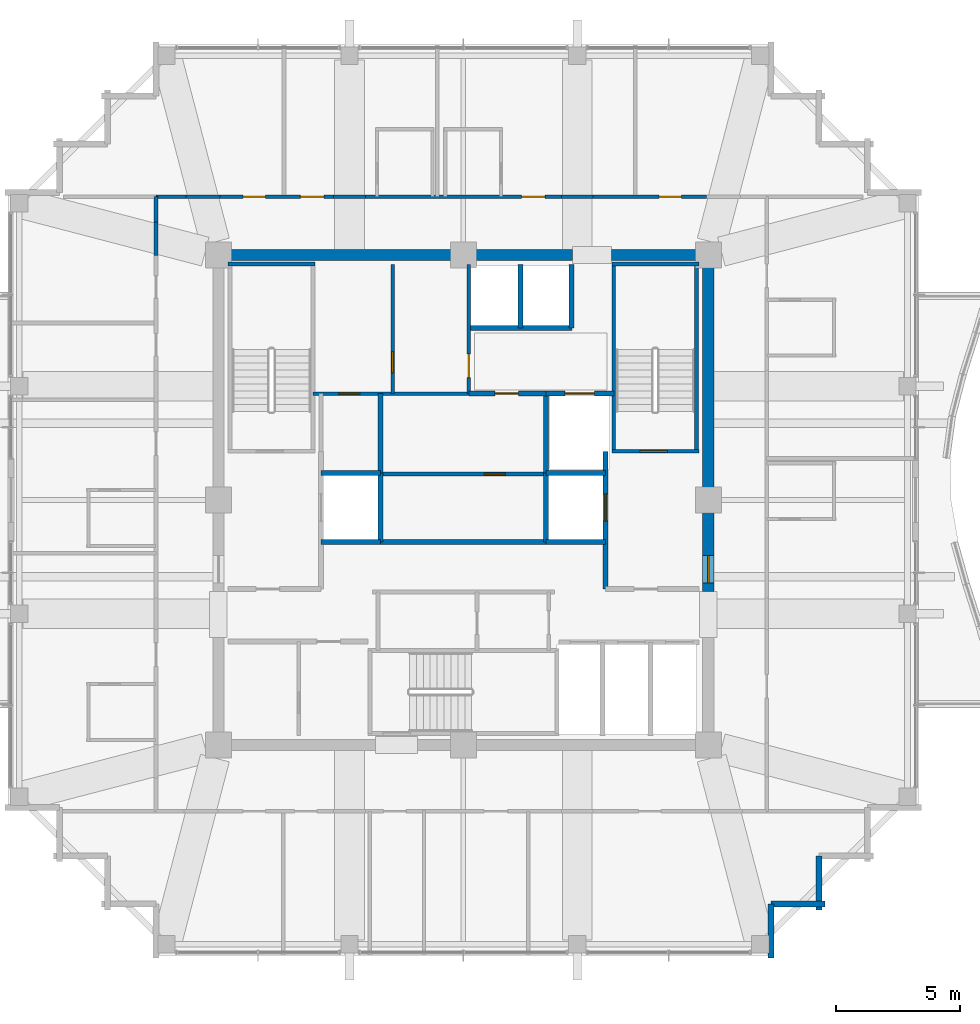
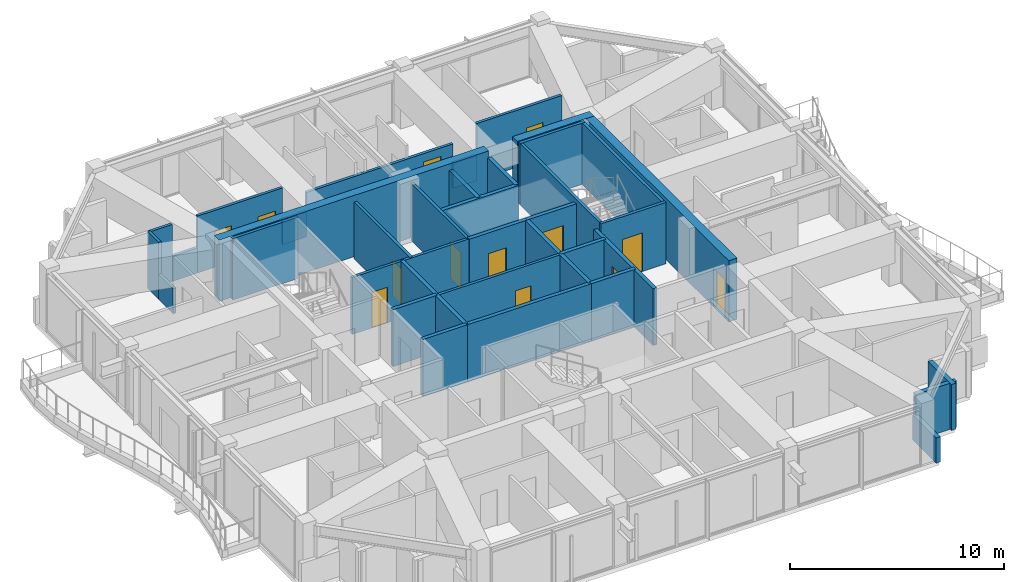
# One storey, part 27 of 31: 39 walls, 13 doors, 13 openings.
"""IFC4 building model written with IfcOpenShell, lengths in metres."""

from ifc_helpers import new_model, si_unit, direction, frame, frame_2d, origin, place, context, subcontext, project, spatial, rectangle, extrude, material, layer, layer_set, type_object, element, fill, save


model = new_model("IFC4")

# Units and contexts
model_context = context("Model", 3, precision=1e-05, world=origin(), true_north=direction((0.0, 1.0)))
body_context = subcontext(model_context, "Body", "Model", "MODEL_VIEW")
ifc_project = project(units=[si_unit("LENGTHUNIT", "METRE"), si_unit("AREAUNIT", "SQUARE_METRE"), si_unit("VOLUMEUNIT", "CUBIC_METRE"), si_unit("PLANEANGLEUNIT", "RADIAN"), si_unit("MASSUNIT", "GRAM", prefix="KILO")], contexts=[model_context])

# Site, building, storey
site_placement = place(None, origin())
site = spatial("IfcSite", under=ifc_project, at=site_placement, CompositionType="ELEMENT")
building_placement = place(site_placement, origin())
building = spatial("IfcBuilding", under=site, at=building_placement, Name="Kolvaren Belvedere", CompositionType="ELEMENT")
storey_placement = place(building_placement, frame((0.0, 0.0, 237.39990234375)))
storey = spatial("IfcBuildingStorey", under=building, at=storey_placement, Name="L69", CompositionType="ELEMENT", Elevation=237.39990234375)

# Walls
ifc_material_1 = material(Name="Concrete C50/60", Category="concrete")
ifc_layer_1 = layer(ifc_material_1, 0.449951171875)
ifc_layer_set_1 = layer_set([ifc_layer_1], Name="Concrete C50/60")
wall_type_1 = type_object("IfcWallType", Name="CW-CORE-450", PredefinedType="SHEAR", material=ifc_layer_set_1)
wall_1_placement = place(storey_placement, frame((-10.125, 9.89990234375, 0.0), z_axis=(0.0, 0.0, 1.0), x_axis=(1.0, 0.0, 0.0)))
element("IfcWall", 1, at=wall_1_placement, inside=storey, type_object=wall_type_1, Name="L69 North Core Shear Wall 1", PredefinedType="SHEAR", context=body_context, shape_type="SweptSolid", body=[
    extrude(rectangle(XDim=14.544921875, YDim=0.449951171875, at=frame_2d((7.2724609375, 0.0))), origin(), (0.0, 0.0, 1.0), 3.5),
])
wall_2_placement = place(storey_placement, frame((5.97998046875, 9.89990234375, 0.0), z_axis=(0.0, 0.0, 1.0), x_axis=(1.0, 0.0, 0.0)))
element("IfcWall", 2, at=wall_2_placement, inside=storey, type_object=wall_type_1, Name="L69 North Core Shear Wall 2", PredefinedType="SHEAR", context=body_context, shape_type="SweptSolid", body=[
    extrude(rectangle(XDim=4.14501953125, YDim=0.449951171875, at=frame_2d((2.072509765625, 0.0))), origin(), (0.0, 0.0, 1.0), 3.5),
])

# Wall, opening, door
wall_3_placement = place(storey_placement, frame((9.89990234375, -3.699951171875, 0.0), z_axis=(0.0, 0.0, 1.0), x_axis=(0.0, 1.0, 0.0)))
wall_3 = element("IfcWall", 3, at=wall_3_placement, inside=storey, type_object=wall_type_1, Name="L69 East Core Shear Wall 2", PredefinedType="SHEAR", context=body_context, shape_type="SweptSolid", body=[
    extrude(rectangle(XDim=13.375, YDim=0.449951171875, at=frame_2d((6.6875, 0.0))), origin(), (0.0, 0.0, 1.0), 3.5),
])
opening_1_placement = place(wall_3_placement, frame((0.35009765625, 0.0, 0.0)))
opening_1 = element("IfcOpeningElement", 4, at=opening_1_placement, cuts=wall_3, Name="Opening D-FD90", PredefinedType="OPENING", context=body_context, shape_type="SweptSolid", body=[
    extrude(rectangle(XDim=1.10009765625, YDim=2.199951171875, at=frame_2d((0.550048828125, 1.10009765625))), frame((0.0, 0.23486328125, 0.0), z_axis=(0.0, -1.0, 0.0), x_axis=(1.0, 0.0, 0.0)), (0.0, 0.0, 1.0), 0.469970703125),
])
ifc_material_2 = material(Name="Painted hollow stainless steel", Category="steel")
door_type_1 = type_object("IfcDoorType", Name="DR-FD90-1100", OperationType="NOTDEFINED", PredefinedType="DOOR", material=ifc_material_2)
door_1_placement = place(opening_1_placement, origin())
door_1 = element("IfcDoor", 5, at=door_1_placement, inside=storey, type_object=door_type_1, Name="L69 East Firefighting Lobby Fire Door", OperationType="SINGLE_SWING_RIGHT", OverallHeight=2.199951171875, OverallWidth=1.10009765625, PredefinedType="DOOR", context=body_context, shape_type="SweptSolid", body=[
    extrude(rectangle(XDim=1.10009765625, YDim=2.199951171875, at=frame_2d((0.550048828125, 1.10009765625))), frame((0.0, 0.02490234375, 0.0), z_axis=(0.0, -1.0, 0.0), x_axis=(1.0, 0.0, 0.0)), (0.0, 0.0, 1.0), 0.050048828125),
])
fill(opening_1, door_1)

# Wall
ifc_material_3 = material(Name="Concrete C50/60", Category="concrete")
ifc_layer_2 = layer(ifc_material_3, 0.159912109375)
ifc_layer_set_2 = layer_set([ifc_layer_2], Name="Concrete C50/60")
wall_type_2 = type_object("IfcWallType", Name="CW-STAIR-160", PredefinedType="SHEAR", material=ifc_layer_set_2)
wall_4_placement = place(storey_placement, frame((-9.52001953125, 9.530029296875, 0.0), z_axis=(0.0, 0.0, 1.0), x_axis=(1.0, 0.0, 0.0)))
element("IfcWall", 6, at=wall_4_placement, inside=storey, type_object=wall_type_2, Name="L69 Stair ST-1 North Shear Wall", PredefinedType="SHEAR", context=body_context, shape_type="SweptSolid", body=[
    extrude(rectangle(XDim=3.52001953125, YDim=0.159912109375, at=frame_2d((1.760009765625, 0.0))), origin(), (0.0, 0.0, 1.0), 3.5),
])

# Wall, opening, door
wall_5_placement = place(storey_placement, frame((6.0, 1.969970703125, 0.0), z_axis=(0.0, 0.0, 1.0), x_axis=(1.0, 0.0, 0.0)))
wall_5 = element("IfcWall", 7, at=wall_5_placement, inside=storey, type_object=wall_type_2, Name="L69 Stair ST-2 South Shear Wall", PredefinedType="SHEAR", context=body_context, shape_type="SweptSolid", body=[
    extrude(rectangle(XDim=3.52001953125, YDim=0.159912109375, at=frame_2d((1.760009765625, 0.0))), origin(), (0.0, 0.0, 1.0), 3.5),
])
opening_2_placement = place(wall_5_placement, frame((1.14990234375, 0.0, 0.0)))
opening_2 = element("IfcOpeningElement", 8, at=opening_2_placement, cuts=wall_5, Name="Opening D-FD90", PredefinedType="OPENING", context=body_context, shape_type="SweptSolid", body=[
    extrude(rectangle(XDim=1.10009765625, YDim=2.199951171875, at=frame_2d((0.550048828125, 1.10009765625))), frame((0.0, 0.08984375, 0.0), z_axis=(0.0, -1.0, 0.0), x_axis=(1.0, 0.0, 0.0)), (0.0, 0.0, 1.0), 0.179931640625),
])
door_2_placement = place(opening_2_placement, origin())
door_2 = element("IfcDoor", 9, at=door_2_placement, inside=storey, type_object=door_type_1, Name="L69 Stair ST-2 Fire Door", OperationType="SINGLE_SWING_RIGHT", OverallHeight=2.199951171875, OverallWidth=1.10009765625, PredefinedType="DOOR", context=body_context, shape_type="SweptSolid", body=[
    extrude(rectangle(XDim=1.10009765625, YDim=2.199951171875, at=frame_2d((0.550048828125, 1.10009765625))), frame((0.0, 0.02490234375, 0.0), z_axis=(0.0, -1.0, 0.0), x_axis=(1.0, 0.0, 0.0)), (0.0, 0.0, 1.0), 0.050048828125),
])
fill(opening_2, door_2)

# Walls
wall_6_placement = place(storey_placement, frame((6.0, 9.530029296875, 0.0), z_axis=(0.0, 0.0, 1.0), x_axis=(1.0, 0.0, 0.0)))
element("IfcWall", 10, at=wall_6_placement, inside=storey, type_object=wall_type_2, Name="L69 Stair ST-2 North Shear Wall", PredefinedType="SHEAR", context=body_context, shape_type="SweptSolid", body=[
    extrude(rectangle(XDim=3.52001953125, YDim=0.159912109375, at=frame_2d((1.760009765625, 0.0))), origin(), (0.0, 0.0, 1.0), 3.5),
])
for number, where, z_axis, x_axis, name in (
    (11, (6.080078125, 1.969970703125, 0.0), (0.0, 0.0, 1.0), (0.0, 1.0, 0.0), "L69 Stair ST-2 West Shear Wall"),
    (12, (9.429931640625, 1.969970703125, 0.0), (0.0, 0.0, 1.0), (0.0, 1.0, 0.0), "L69 Stair ST-2 East Shear Wall"),
):
    element("IfcWall", number, at=place(storey_placement, frame(where, z_axis=z_axis, x_axis=x_axis)), inside=storey, type_object=wall_type_2, Name=name, PredefinedType="SHEAR", context=body_context, shape_type="SweptSolid", body=[
        extrude(rectangle(XDim=7.56005859375, YDim=0.159912109375, at=frame_2d((3.780029296875, 0.0))), origin(), (0.0, 0.0, 1.0), 3.5),
    ])
ifc_material_4 = material(Name="Gypsum fire-rated partition assembly", Category="gypsum")
ifc_layer_3 = layer(ifc_material_4, 0.14990234375)
ifc_layer_set_3 = layer_set([ifc_layer_3], Name="Gypsum fire-rated partition assembly")
wall_type_3 = type_object("IfcWallType", Name="WL-CORR-150", PredefinedType="PARTITIONING", material=ifc_layer_set_3)
wall_7_placement = place(storey_placement, frame((-12.419921875, 12.260009765625, 0.0), z_axis=(0.0, 0.0, 1.0), x_axis=(1.0, 0.0, 0.0)))
element("IfcWall", 13, at=wall_7_placement, inside=storey, type_object=wall_type_3, Name="L69 North Corridor Wall", PredefinedType="PARTITIONING", context=body_context, shape_type="SweptSolid", body=[
    extrude(rectangle(XDim=1.21923828125, YDim=0.14990234375, at=frame_2d((0.609619140625, 0.0))), origin(), (0.0, 0.0, 1.0), 3.25),
])
wall_8_placement = place(storey_placement, frame((-11.20068359375, 12.260009765625, 0.0), z_axis=(0.0, 0.0, 1.0), x_axis=(1.0, 0.0, 0.0)))
element("IfcWall", 14, at=wall_8_placement, inside=storey, type_object=wall_type_3, Name="L69 North Corridor Wall", PredefinedType="PARTITIONING", context=body_context, shape_type="SweptSolid", body=[
    extrude(rectangle(XDim=1.3701171875, YDim=0.14990234375, at=frame_2d((0.68505859375, 0.0))), origin(), (0.0, 0.0, 1.0), 1.43505859375),
])

# Wall, openings, doors
wall_9_placement = place(storey_placement, frame((-9.83056640625, 12.260009765625, 0.0), z_axis=(0.0, 0.0, 1.0), x_axis=(1.0, 0.0, 0.0)))
wall_9 = element("IfcWall", 15, at=wall_9_placement, inside=storey, type_object=wall_type_3, Name="L69 North Corridor Wall", PredefinedType="PARTITIONING", context=body_context, shape_type="SweptSolid", body=[
    extrude(rectangle(XDim=4.588623046875, YDim=0.14990234375, at=frame_2d((2.29443359375, 0.0))), origin(), (0.0, 0.0, 1.0), 3.25),
])
opening_3_placement = place(wall_9_placement, frame((0.934814453125, 0.0, 0.0)))
opening_3 = element("IfcOpeningElement", 16, at=opening_3_placement, cuts=wall_9, Name="Opening D-INT90", PredefinedType="OPENING", context=body_context, shape_type="SweptSolid", body=[
    extrude(rectangle(XDim=0.89990234375, YDim=2.06005859375, at=frame_2d((0.449951171875, 1.030029296875))), frame((0.0, 0.0849609375, 0.0), z_axis=(0.0, -1.0, 0.0), x_axis=(1.0, 0.0, 0.0)), (0.0, 0.0, 1.0), 0.169921875),
])
opening_4_placement = place(wall_9_placement, frame((3.244873046875, 0.0, 0.0)))
opening_4 = element("IfcOpeningElement", 17, at=opening_4_placement, cuts=wall_9, Name="Opening D-FD60", PredefinedType="OPENING", context=body_context, shape_type="SweptSolid", body=[
    extrude(rectangle(XDim=0.949951171875, YDim=2.06005859375, at=frame_2d((0.47509765625, 1.030029296875))), frame((0.0, 0.0849609375, 0.0), z_axis=(0.0, -1.0, 0.0), x_axis=(1.0, 0.0, 0.0)), (0.0, 0.0, 1.0), 0.169921875),
])
ifc_material_5 = material(Name="Acoustic white-oak fire door leaf", Category="timber")
door_type_2 = type_object("IfcDoorType", Name="DR-FD60-950", OperationType="NOTDEFINED", PredefinedType="DOOR", material=ifc_material_5)
door_3_placement = place(opening_4_placement, origin())
door_3 = element("IfcDoor", 18, at=door_3_placement, inside=storey, type_object=door_type_2, Name="L69 King Guest Room 6911 Entry Door", OperationType="SINGLE_SWING_RIGHT", OverallHeight=2.06005859375, OverallWidth=0.949951171875, PredefinedType="DOOR", context=body_context, shape_type="SweptSolid", body=[
    extrude(rectangle(XDim=0.949951171875, YDim=2.06005859375, at=frame_2d((0.47509765625, 1.030029296875))), frame((0.0, 0.02490234375, 0.0), z_axis=(0.0, -1.0, 0.0), x_axis=(1.0, 0.0, 0.0)), (0.0, 0.0, 1.0), 0.050048828125),
])
fill(opening_4, door_3)
ifc_material_6 = material(Name="Stained Pacific white oak", Category="timber")
door_type_3 = type_object("IfcDoorType", Name="DR-INT-900", OperationType="NOTDEFINED", PredefinedType="DOOR", material=ifc_material_6)
door_4_placement = place(opening_3_placement, origin())
door_4 = element("IfcDoor", 19, at=door_4_placement, inside=storey, type_object=door_type_3, Name="L69 Lounge 6910 Door", OperationType="SINGLE_SWING_RIGHT", OverallHeight=2.06005859375, OverallWidth=0.89990234375, PredefinedType="DOOR", context=body_context, shape_type="SweptSolid", body=[
    extrude(rectangle(XDim=0.89990234375, YDim=2.06005859375, at=frame_2d((0.449951171875, 1.030029296875))), frame((0.0, 0.02490234375, 0.0), z_axis=(0.0, -1.0, 0.0), x_axis=(1.0, 0.0, 0.0)), (0.0, 0.0, 1.0), 0.050048828125),
])
fill(opening_3, door_4)

# Wall
wall_10_placement = place(storey_placement, frame((-5.241943359375, 12.260009765625, 0.0), z_axis=(0.0, 0.0, 1.0), x_axis=(1.0, 0.0, 0.0)))
element("IfcWall", 20, at=wall_10_placement, inside=storey, type_object=wall_type_3, Name="L69 North Corridor Wall", PredefinedType="PARTITIONING", context=body_context, shape_type="SweptSolid", body=[
    extrude(rectangle(XDim=1.283935546875, YDim=0.14990234375, at=frame_2d((0.64208984375, 0.0))), origin(), (0.0, 0.0, 1.0), 1.43505859375),
])

# Wall, opening, door
wall_11_placement = place(storey_placement, frame((-3.9580078125, 12.260009765625, 0.0), z_axis=(0.0, 0.0, 1.0), x_axis=(1.0, 0.0, 0.0)))
wall_11 = element("IfcWall", 21, at=wall_11_placement, inside=storey, type_object=wall_type_3, Name="L69 North Corridor Wall", PredefinedType="PARTITIONING", context=body_context, shape_type="SweptSolid", body=[
    extrude(rectangle(XDim=7.916015625, YDim=0.14990234375, at=frame_2d((3.9580078125, 0.0))), origin(), (0.0, 0.0, 1.0), 2.5390625),
])
opening_5_placement = place(wall_11_placement, frame((6.3173828125, 0.0, 0.0)))
opening_5 = element("IfcOpeningElement", 22, at=opening_5_placement, cuts=wall_11, Name="Opening D-FD60", PredefinedType="OPENING", context=body_context, shape_type="SweptSolid", body=[
    extrude(rectangle(XDim=0.949951171875, YDim=2.06005859375, at=frame_2d((0.47509765625, 1.030029296875))), frame((0.0, 0.0849609375, 0.0), z_axis=(0.0, -1.0, 0.0), x_axis=(1.0, 0.0, 0.0)), (0.0, 0.0, 1.0), 0.169921875),
])
door_5_placement = place(opening_5_placement, origin())
door_5 = element("IfcDoor", 23, at=door_5_placement, inside=storey, type_object=door_type_2, Name="L69 Botanical Hospitality Suite 6912 Entry Door", OperationType="SINGLE_SWING_RIGHT", OverallHeight=2.06005859375, OverallWidth=0.949951171875, PredefinedType="DOOR", context=body_context, shape_type="SweptSolid", body=[
    extrude(rectangle(XDim=0.949951171875, YDim=2.06005859375, at=frame_2d((0.47509765625, 1.030029296875))), frame((0.0, 0.02490234375, 0.0), z_axis=(0.0, -1.0, 0.0), x_axis=(1.0, 0.0, 0.0)), (0.0, 0.0, 1.0), 0.050048828125),
])
fill(opening_5, door_5)

# Wall
wall_12_placement = place(storey_placement, frame((3.9580078125, 12.260009765625, 0.0), z_axis=(0.0, 0.0, 1.0), x_axis=(1.0, 0.0, 0.0)))
element("IfcWall", 24, at=wall_12_placement, inside=storey, type_object=wall_type_3, Name="L69 North Corridor Wall", PredefinedType="PARTITIONING", context=body_context, shape_type="SweptSolid", body=[
    extrude(rectangle(XDim=1.283935546875, YDim=0.14990234375, at=frame_2d((0.64208984375, 0.0))), origin(), (0.0, 0.0, 1.0), 1.43505859375),
])

# Wall, opening, door
wall_13_placement = place(storey_placement, frame((5.241943359375, 12.260009765625, 0.0), z_axis=(0.0, 0.0, 1.0), x_axis=(1.0, 0.0, 0.0)))
wall_13 = element("IfcWall", 25, at=wall_13_placement, inside=storey, type_object=wall_type_3, Name="L69 North Corridor Wall", PredefinedType="PARTITIONING", context=body_context, shape_type="SweptSolid", body=[
    extrude(rectangle(XDim=4.588623046875, YDim=0.14990234375, at=frame_2d((2.29443359375, 0.0))), origin(), (0.0, 0.0, 1.0), 3.25),
])
opening_6_placement = place(wall_13_placement, frame((2.673583984375, 0.0, 0.0)))
opening_6 = element("IfcOpeningElement", 26, at=opening_6_placement, cuts=wall_13, Name="Opening D-INT90", PredefinedType="OPENING", context=body_context, shape_type="SweptSolid", body=[
    extrude(rectangle(XDim=0.89990234375, YDim=2.06005859375, at=frame_2d((0.449951171875, 1.030029296875))), frame((0.0, 0.0849609375, 0.0), z_axis=(0.0, -1.0, 0.0), x_axis=(1.0, 0.0, 0.0)), (0.0, 0.0, 1.0), 0.169921875),
])
door_6_placement = place(opening_6_placement, origin())
door_6 = element("IfcDoor", 27, at=door_6_placement, inside=storey, type_object=door_type_3, Name="L69 Lounge 6913 Door", OperationType="SINGLE_SWING_LEFT", OverallHeight=2.06005859375, OverallWidth=0.89990234375, PredefinedType="DOOR", context=body_context, shape_type="SweptSolid", body=[
    extrude(rectangle(XDim=0.89990234375, YDim=2.06005859375, at=frame_2d((0.449951171875, 1.030029296875))), frame((0.0, 0.02490234375, 0.0), z_axis=(0.0, -1.0, 0.0), x_axis=(1.0, 0.0, 0.0)), (0.0, 0.0, 1.0), 0.050048828125),
])
fill(opening_6, door_6)

# Walls
wall_14_placement = place(storey_placement, frame((-12.419921875, 9.872314453125, 0.0), z_axis=(0.0, 0.0, 1.0), x_axis=(0.0, 1.0, 0.0)))
element("IfcWall", 28, at=wall_14_placement, inside=storey, type_object=wall_type_3, Name="L69 West Corridor Wall", PredefinedType="PARTITIONING", context=body_context, shape_type="SweptSolid", body=[
    extrude(rectangle(XDim=1.370361328125, YDim=0.14990234375, at=frame_2d((0.68505859375, 0.0))), origin(), (0.0, 0.0, 1.0), 1.43505859375),
])
wall_15_placement = place(storey_placement, frame((-12.419921875, 11.24267578125, 0.0), z_axis=(0.0, 0.0, 1.0), x_axis=(0.0, 1.0, 0.0)))
element("IfcWall", 29, at=wall_15_placement, inside=storey, type_object=wall_type_3, Name="L69 West Corridor Wall", PredefinedType="PARTITIONING", context=body_context, shape_type="SweptSolid", body=[
    extrude(rectangle(XDim=1.017333984375, YDim=0.14990234375, at=frame_2d((0.5087890625, 0.0))), origin(), (0.0, 0.0, 1.0), 3.25),
])
ifc_material_7 = material(Name="Insulated pale-metal facade wall assembly", Category="aluminium")
ifc_layer_4 = layer(ifc_material_7, 0.239990234375)
ifc_layer_set_4 = layer_set([ifc_layer_4], Name="Insulated pale-metal facade wall assembly")
wall_type_4 = type_object("IfcWallType", Name="WL-EXT-240", PredefinedType="STANDARD", material=ifc_layer_set_4)
wall_16_placement = place(storey_placement, frame((12.429931640625, -16.330078125, 0.0), z_axis=(0.0, 0.0, 1.0), x_axis=(0.0, -1.0, 0.0)))
element("IfcWall", 30, at=wall_16_placement, inside=storey, type_object=wall_type_4, Name="L69 Serrated Corner Facade Wall 2", PredefinedType="STANDARD", context=body_context, shape_type="SweptSolid", body=[
    extrude(rectangle(XDim=2.18994140625, YDim=0.239990234375, at=frame_2d((1.094970703125, 0.0))), origin(), (0.0, 0.0, 1.0), 1.445068359375),
])
for number, where, z_axis, x_axis, name in (
    (31, (14.6201171875, -16.330078125, 0.0), (0.0, 0.0, 1.0), (-1.0, 0.0, 0.0), "L69 Serrated Corner Facade Wall 3"),
    (32, (14.3798828125, -14.3798828125, 0.0), (0.0, 0.0, 1.0), (0.0, -1.0, 0.0), "L69 Serrated Corner Facade Wall 4"),
):
    element("IfcWall", number, at=place(storey_placement, frame(where, z_axis=z_axis, x_axis=x_axis)), inside=storey, type_object=wall_type_4, Name=name, PredefinedType="STANDARD", context=body_context, shape_type="SweptSolid", body=[
        extrude(rectangle(XDim=2.190185546875, YDim=0.239990234375, at=frame_2d((1.09521484375, 0.0))), origin(), (0.0, 0.0, 1.0), 2.633056640625),
    ])

# Wall, opening, door
ifc_material_8 = material(Name="Gypsum acoustic partition assembly", Category="gypsum")
ifc_layer_5 = layer(ifc_material_8, 0.14990234375)
ifc_layer_set_5 = layer_set([ifc_layer_5], Name="Gypsum acoustic partition assembly")
wall_type_5 = type_object("IfcWallType", Name="WL-PART-150", PredefinedType="PARTITIONING", material=ifc_layer_set_5)
wall_17_placement = place(storey_placement, frame((-6.080078125, 4.300048828125, 0.0), z_axis=(0.0, 0.0, 1.0), x_axis=(1.0, 0.0, 0.0)))
wall_17 = element("IfcWall", 33, at=wall_17_placement, inside=storey, type_object=wall_type_5, Name="L69 Reclaimed Salon South Wall", PredefinedType="PARTITIONING", context=body_context, shape_type="SweptSolid", body=[
    extrude(rectangle(XDim=6.300048828125, YDim=0.14990234375, at=frame_2d((3.14990234375, 0.0))), origin(), (0.0, 0.0, 1.0), 3.25),
])
opening_7_placement = place(wall_17_placement, frame((1.050048828125, 0.0, 0.0)))
opening_7 = element("IfcOpeningElement", 34, at=opening_7_placement, cuts=wall_17, Name="Opening D-INT85", PredefinedType="OPENING", context=body_context, shape_type="SweptSolid", body=[
    extrude(rectangle(XDim=0.85009765625, YDim=2.030029296875, at=frame_2d((0.425048828125, 1.01513671875))), frame((0.0, 0.0849609375, 0.0), z_axis=(0.0, -1.0, 0.0), x_axis=(1.0, 0.0, 0.0)), (0.0, 0.0, 1.0), 0.169921875),
])
ifc_material_9 = material(Name="Stained Pacific white oak", Category="timber")
door_type_4 = type_object("IfcDoorType", Name="DR-INT-850", OperationType="NOTDEFINED", PredefinedType="DOOR", material=ifc_material_9)
door_7_placement = place(opening_7_placement, origin())
door_7 = element("IfcDoor", 35, at=door_7_placement, inside=storey, type_object=door_type_4, Name="L69 NW Core Store Door", OperationType="SINGLE_SWING_RIGHT", OverallHeight=2.030029296875, OverallWidth=0.85009765625, PredefinedType="DOOR", context=body_context, shape_type="SweptSolid", body=[
    extrude(rectangle(XDim=0.85009765625, YDim=2.030029296875, at=frame_2d((0.425048828125, 1.01513671875))), frame((0.0, 0.02490234375, 0.0), z_axis=(0.0, -1.0, 0.0), x_axis=(1.0, 0.0, 0.0)), (0.0, 0.0, 1.0), 0.050048828125),
])
fill(opening_7, door_7)

wall_18_placement = place(storey_placement, frame((0.219970703125, 4.300048828125, 0.0), z_axis=(0.0, 0.0, 1.0), x_axis=(0.0, 1.0, 0.0)))
wall_18 = element("IfcWall", 36, at=wall_18_placement, inside=storey, type_object=wall_type_5, Name="L69 Reclaimed Salon East Wall", PredefinedType="PARTITIONING", context=body_context, shape_type="SweptSolid", body=[
    extrude(rectangle(XDim=5.219970703125, YDim=0.14990234375, at=frame_2d((2.60986328125, 0.0))), origin(), (0.0, 0.0, 1.0), 3.25),
])
opening_8_placement = place(wall_18_placement, frame((0.64990234375, 0.0, 0.0)))
opening_8 = element("IfcOpeningElement", 37, at=opening_8_placement, cuts=wall_18, Name="Opening D-INT95", PredefinedType="OPENING", context=body_context, shape_type="SweptSolid", body=[
    extrude(rectangle(XDim=0.949951171875, YDim=2.06005859375, at=frame_2d((0.47509765625, 1.030029296875))), frame((0.0, 0.0849609375, 0.0), z_axis=(0.0, -1.0, 0.0), x_axis=(1.0, 0.0, 0.0)), (0.0, 0.0, 1.0), 0.169921875),
])
ifc_material_10 = material(Name="Stained Pacific white oak", Category="timber")
door_type_5 = type_object("IfcDoorType", Name="DR-INT-950", OperationType="NOTDEFINED", PredefinedType="DOOR", material=ifc_material_10)
door_8_placement = place(opening_8_placement, origin())
door_8 = element("IfcDoor", 38, at=door_8_placement, inside=storey, type_object=door_type_5, Name="L69 Sky Boardroom Door", OperationType="SINGLE_SWING_LEFT", OverallHeight=2.06005859375, OverallWidth=0.949951171875, PredefinedType="DOOR", context=body_context, shape_type="SweptSolid", body=[
    extrude(rectangle(XDim=0.949951171875, YDim=2.06005859375, at=frame_2d((0.47509765625, 1.030029296875))), frame((0.0, 0.02490234375, 0.0), z_axis=(0.0, -1.0, 0.0), x_axis=(1.0, 0.0, 0.0)), (0.0, 0.0, 1.0), 0.050048828125),
])
fill(opening_8, door_8)

wall_19_placement = place(storey_placement, frame((-2.85009765625, 4.300048828125, 0.0), z_axis=(0.0, 0.0, 1.0), x_axis=(0.0, 1.0, 0.0)))
wall_19 = element("IfcWall", 39, at=wall_19_placement, inside=storey, type_object=wall_type_5, Name="L69 Reclaimed Salon Divider", PredefinedType="PARTITIONING", context=body_context, shape_type="SweptSolid", body=[
    extrude(rectangle(XDim=5.219970703125, YDim=0.14990234375, at=frame_2d((2.60986328125, 0.0))), origin(), (0.0, 0.0, 1.0), 3.25),
])
opening_9_placement = place(wall_19_placement, frame((0.85009765625, 0.0, 0.0)))
opening_9 = element("IfcOpeningElement", 40, at=opening_9_placement, cuts=wall_19, Name="Opening D-INT85", PredefinedType="OPENING", context=body_context, shape_type="SweptSolid", body=[
    extrude(rectangle(XDim=0.85009765625, YDim=2.030029296875, at=frame_2d((0.425048828125, 1.01513671875))), frame((0.0, 0.0849609375, 0.0), z_axis=(0.0, -1.0, 0.0), x_axis=(1.0, 0.0, 0.0)), (0.0, 0.0, 1.0), 0.169921875),
])
door_9_placement = place(opening_9_placement, origin())
door_9 = element("IfcDoor", 41, at=door_9_placement, inside=storey, type_object=door_type_4, Name="L69 Beverage Pantry Door", OperationType="SINGLE_SWING_RIGHT", OverallHeight=2.030029296875, OverallWidth=0.85009765625, PredefinedType="DOOR", context=body_context, shape_type="SweptSolid", body=[
    extrude(rectangle(XDim=0.85009765625, YDim=2.030029296875, at=frame_2d((0.425048828125, 1.01513671875))), frame((0.0, 0.02490234375, 0.0), z_axis=(0.0, -1.0, 0.0), x_axis=(1.0, 0.0, 0.0)), (0.0, 0.0, 1.0), 0.050048828125),
])
fill(opening_9, door_9)

wall_20_placement = place(storey_placement, frame((-3.35009765625, 1.050048828125, 0.0), z_axis=(0.0, 0.0, 1.0), x_axis=(1.0, 0.0, 0.0)))
wall_20 = element("IfcWall", 42, at=wall_20_placement, inside=storey, type_object=wall_type_5, Name="L69 Central Core H-Divider", PredefinedType="PARTITIONING", context=body_context, shape_type="SweptSolid", body=[
    extrude(rectangle(XDim=6.7001953125, YDim=0.14990234375, at=frame_2d((3.35009765625, 0.0))), origin(), (0.0, 0.0, 1.0), 3.25),
])
opening_10_placement = place(wall_20_placement, frame((4.199951171875, 0.0, 0.0)))
opening_10 = element("IfcOpeningElement", 43, at=opening_10_placement, cuts=wall_20, Name="Opening D-INT85", PredefinedType="OPENING", context=body_context, shape_type="SweptSolid", body=[
    extrude(rectangle(XDim=0.85009765625, YDim=2.030029296875, at=frame_2d((0.425048828125, 1.01513671875))), frame((0.0, 0.0849609375, 0.0), z_axis=(0.0, -1.0, 0.0), x_axis=(1.0, 0.0, 0.0)), (0.0, 0.0, 1.0), 0.169921875),
])
door_10_placement = place(opening_10_placement, origin())
door_10 = element("IfcDoor", 44, at=door_10_placement, inside=storey, type_object=door_type_4, Name="L69 Central Archive Door", OperationType="SINGLE_SWING_LEFT", OverallHeight=2.030029296875, OverallWidth=0.85009765625, PredefinedType="DOOR", context=body_context, shape_type="SweptSolid", body=[
    extrude(rectangle(XDim=0.85009765625, YDim=2.030029296875, at=frame_2d((0.425048828125, 1.01513671875))), frame((0.0, 0.02490234375, 0.0), z_axis=(0.0, -1.0, 0.0), x_axis=(1.0, 0.0, 0.0)), (0.0, 0.0, 1.0), 0.050048828125),
])
fill(opening_10, door_10)

# Walls
ifc_material_11 = material(Name="Concrete C50/60", Category="concrete")
ifc_layer_6 = layer(ifc_material_11, 0.199951171875)
ifc_layer_set_6 = layer_set([ifc_layer_6], Name="Concrete C50/60")
wall_type_6 = type_object("IfcWallType", Name="WL-SHAFT-200", PredefinedType="SOLIDWALL", material=ifc_layer_set_6)
wall_21_placement = place(storey_placement, frame((-3.35009765625, -1.699951171875, 0.0), z_axis=(0.0, 0.0, 1.0), x_axis=(0.0, 1.0, 0.0)))
element("IfcWall", 45, at=wall_21_placement, inside=storey, type_object=wall_type_6, Name="L69 FSAE FS1 Back Wall", PredefinedType="SOLIDWALL", context=body_context, shape_type="SweptSolid", body=[
    extrude(rectangle(XDim=2.800048828125, YDim=0.199951171875, at=frame_2d((1.39990234375, 0.0))), origin(), (0.0, 0.0, 1.0), 3.25),
])
for number, where, z_axis, x_axis, name in (
    (46, (-5.75, -1.699951171875, 0.0), (0.0, 0.0, 1.0), (1.0, 0.0, 0.0), "L69 FSAE FS1 South Wall"),
    (47, (-5.75, 1.10009765625, 0.0), (0.0, 0.0, 1.0), (1.0, 0.0, 0.0), "L69 FSAE FS1 North Wall"),
):
    element("IfcWall", number, at=place(storey_placement, frame(where, z_axis=z_axis, x_axis=x_axis)), inside=storey, type_object=wall_type_6, Name=name, PredefinedType="SOLIDWALL", context=body_context, shape_type="SweptSolid", body=[
        extrude(rectangle(XDim=2.39990234375, YDim=0.199951171875, at=frame_2d((1.199951171875, 0.0))), origin(), (0.0, 0.0, 1.0), 3.25),
    ])

# Wall, opening, door
wall_22_placement = place(storey_placement, frame((5.75, -3.60009765625, 0.0), z_axis=(0.0, 0.0, 1.0), x_axis=(0.0, 1.0, 0.0)))
wall_22 = element("IfcWall", 48, at=wall_22_placement, inside=storey, type_object=wall_type_6, Name="L69 FSAE FS2 Landing Wall", PredefinedType="SOLIDWALL", context=body_context, shape_type="SweptSolid", body=[
    extrude(rectangle(XDim=5.570068359375, YDim=0.199951171875, at=frame_2d((2.78515625, 0.0))), origin(), (0.0, 0.0, 1.0), 3.25),
])
opening_11_placement = place(wall_22_placement, frame((2.75, 0.0, 0.0)))
opening_11 = element("IfcOpeningElement", 49, at=opening_11_placement, cuts=wall_22, Name="Opening LD-11", PredefinedType="OPENING", context=body_context, shape_type="SweptSolid", body=[
    extrude(rectangle(XDim=1.10009765625, YDim=2.199951171875, at=frame_2d((0.550048828125, 1.10009765625))), frame((0.0, 0.10986328125, 0.0), z_axis=(0.0, -1.0, 0.0), x_axis=(1.0, 0.0, 0.0)), (0.0, 0.0, 1.0), 0.219970703125),
])
ifc_material_12 = material(Name="Brushed stainless steel", Category="steel")
door_type_6 = type_object("IfcDoorType", Name="DR-LIFT-1100", OperationType="DOUBLE_DOOR_SLIDING", PredefinedType="DOOR", material=ifc_material_12)
door_11_placement = place(opening_11_placement, origin())
door_11 = element("IfcDoor", 50, at=door_11_placement, inside=storey, type_object=door_type_6, Name="L69 Firefighting Lift FS2 Landing Door", OperationType="DOUBLE_DOOR_SLIDING", OverallHeight=2.199951171875, OverallWidth=1.10009765625, PredefinedType="DOOR", context=body_context, shape_type="SweptSolid", body=[
    extrude(rectangle(XDim=1.10009765625, YDim=2.199951171875, at=frame_2d((0.550048828125, 1.10009765625))), frame((0.0, 0.02490234375, 0.0), z_axis=(0.0, -1.0, 0.0), x_axis=(1.0, 0.0, 0.0)), (0.0, 0.0, 1.0), 0.050048828125),
])
fill(opening_11, door_11)

# Walls
wall_23_placement = place(storey_placement, frame((3.35009765625, -1.699951171875, 0.0), z_axis=(0.0, 0.0, 1.0), x_axis=(0.0, 1.0, 0.0)))
element("IfcWall", 51, at=wall_23_placement, inside=storey, type_object=wall_type_6, Name="L69 FSAE FS2 Back Wall", PredefinedType="SOLIDWALL", context=body_context, shape_type="SweptSolid", body=[
    extrude(rectangle(XDim=2.800048828125, YDim=0.199951171875, at=frame_2d((1.39990234375, 0.0))), origin(), (0.0, 0.0, 1.0), 3.25),
])
for number, where, z_axis, x_axis, name in (
    (52, (3.35009765625, -1.699951171875, 0.0), (0.0, 0.0, 1.0), (1.0, 0.0, 0.0), "L69 FSAE FS2 South Wall"),
    (53, (3.35009765625, 1.10009765625, 0.0), (0.0, 0.0, 1.0), (1.0, 0.0, 0.0), "L69 FSAE FS2 North Wall"),
):
    element("IfcWall", number, at=place(storey_placement, frame(where, z_axis=z_axis, x_axis=x_axis)), inside=storey, type_object=wall_type_6, Name=name, PredefinedType="SOLIDWALL", context=body_context, shape_type="SweptSolid", body=[
        extrude(rectangle(XDim=2.39990234375, YDim=0.199951171875, at=frame_2d((1.199951171875, 0.0))), origin(), (0.0, 0.0, 1.0), 3.25),
    ])

# Wall, opening, door
wall_24_placement = place(storey_placement, frame((3.35009765625, 4.300048828125, 0.0), z_axis=(0.0, 0.0, 1.0), x_axis=(1.0, 0.0, 0.0)))
wall_24 = element("IfcWall", 54, at=wall_24_placement, inside=storey, type_object=wall_type_6, Name="L69 Service Lift SV1 Front Wall", PredefinedType="SOLIDWALL", context=body_context, shape_type="SweptSolid", body=[
    extrude(rectangle(XDim=2.72998046875, YDim=0.199951171875, at=frame_2d((1.364990234375, 0.0))), origin(), (0.0, 0.0, 1.0), 3.25),
])
opening_12_placement = place(wall_24_placement, frame((0.75, 0.0, 0.0)))
opening_12 = element("IfcOpeningElement", 55, at=opening_12_placement, cuts=wall_24, Name="Opening LD-12", PredefinedType="OPENING", context=body_context, shape_type="SweptSolid", body=[
    extrude(rectangle(XDim=1.199951171875, YDim=2.25, at=frame_2d((0.60009765625, 1.125))), frame((0.0, 0.10986328125, 0.0), z_axis=(0.0, -1.0, 0.0), x_axis=(1.0, 0.0, 0.0)), (0.0, 0.0, 1.0), 0.219970703125),
])
ifc_material_13 = material(Name="Brushed stainless steel", Category="steel")
door_type_7 = type_object("IfcDoorType", Name="DR-LIFT-1200", OperationType="DOUBLE_DOOR_SLIDING", PredefinedType="DOOR", material=ifc_material_13)
door_12_placement = place(opening_12_placement, origin())
door_12 = element("IfcDoor", 56, at=door_12_placement, inside=storey, type_object=door_type_7, Name="L69 Service Lift SV1 Landing Door", OperationType="DOUBLE_DOOR_SLIDING", OverallHeight=2.25, OverallWidth=1.199951171875, PredefinedType="DOOR", context=body_context, shape_type="SweptSolid", body=[
    extrude(rectangle(XDim=1.199951171875, YDim=2.25, at=frame_2d((0.60009765625, 1.125))), frame((0.0, 0.02490234375, 0.0), z_axis=(0.0, -1.0, 0.0), x_axis=(1.0, 0.0, 0.0)), (0.0, 0.0, 1.0), 0.050048828125),
])
fill(opening_12, door_12)

# Walls
wall_25_placement = place(storey_placement, frame((0.219970703125, 6.949951171875, 0.0), z_axis=(0.0, 0.0, 1.0), x_axis=(1.0, 0.0, 0.0)))
element("IfcWall", 57, at=wall_25_placement, inside=storey, type_object=wall_type_6, Name="L69 Express Shuttle Hoistway Wall", PredefinedType="SOLIDWALL", context=body_context, shape_type="SweptSolid", body=[
    extrude(rectangle(XDim=4.179931640625, YDim=0.199951171875, at=frame_2d((2.08984375, 0.0))), origin(), (0.0, 0.0, 1.0), 3.25),
])
for number, where, z_axis, x_axis, name in (
    (58, (4.3798828125, 6.949951171875, 0.0), (0.0, 0.0, 1.0), (0.0, 1.0, 0.0), "L69 Express Shuttle East Wall"),
    (59, (2.31005859375, 6.949951171875, 0.0), (0.0, 0.0, 1.0), (0.0, 1.0, 0.0), "L69 Express Shuttle Divider"),
):
    element("IfcWall", number, at=place(storey_placement, frame(where, z_axis=z_axis, x_axis=x_axis)), inside=storey, type_object=wall_type_6, Name=name, PredefinedType="SOLIDWALL", context=body_context, shape_type="SweptSolid", body=[
        extrude(rectangle(XDim=2.570068359375, YDim=0.199951171875, at=frame_2d((1.28515625, 0.0))), origin(), (0.0, 0.0, 1.0), 3.25),
    ])

# Wall, opening, door
wall_26_placement = place(storey_placement, frame((0.219970703125, 4.300048828125, 0.0), z_axis=(0.0, 0.0, 1.0), x_axis=(1.0, 0.0, 0.0)))
wall_26 = element("IfcWall", 60, at=wall_26_placement, inside=storey, type_object=wall_type_6, Name="L69 Central Core Room North Wall", PredefinedType="SOLIDWALL", context=body_context, shape_type="SweptSolid", body=[
    extrude(rectangle(XDim=3.130126953125, YDim=0.199951171875, at=frame_2d((1.56494140625, 0.0))), origin(), (0.0, 0.0, 1.0), 3.25),
])
opening_13_placement = place(wall_26_placement, frame((1.050048828125, 0.0, 0.0)))
opening_13 = element("IfcOpeningElement", 61, at=opening_13_placement, cuts=wall_26, Name="Opening D-FD60", PredefinedType="OPENING", context=body_context, shape_type="SweptSolid", body=[
    extrude(rectangle(XDim=0.949951171875, YDim=2.06005859375, at=frame_2d((0.47509765625, 1.030029296875))), frame((0.0, 0.10986328125, 0.0), z_axis=(0.0, -1.0, 0.0), x_axis=(1.0, 0.0, 0.0)), (0.0, 0.0, 1.0), 0.219970703125),
])
door_13_placement = place(opening_13_placement, origin())
door_13 = element("IfcDoor", 62, at=door_13_placement, inside=storey, type_object=door_type_2, Name="L69 Central Core Controls Door", OperationType="SINGLE_SWING_LEFT", OverallHeight=2.06005859375, OverallWidth=0.949951171875, PredefinedType="DOOR", context=body_context, shape_type="SweptSolid", body=[
    extrude(rectangle(XDim=0.949951171875, YDim=2.06005859375, at=frame_2d((0.47509765625, 1.030029296875))), frame((0.0, 0.02490234375, 0.0), z_axis=(0.0, -1.0, 0.0), x_axis=(1.0, 0.0, 0.0)), (0.0, 0.0, 1.0), 0.050048828125),
])
fill(opening_13, door_13)

# Walls
wall_27_placement = place(storey_placement, frame((-3.35009765625, -1.699951171875, 0.0), z_axis=(0.0, 0.0, 1.0), x_axis=(1.0, 0.0, 0.0)))
element("IfcWall", 63, at=wall_27_placement, inside=storey, type_object=wall_type_6, Name="L69 Central Core Room South Wall", PredefinedType="SOLIDWALL", context=body_context, shape_type="SweptSolid", body=[
    extrude(rectangle(XDim=6.7001953125, YDim=0.199951171875, at=frame_2d((3.35009765625, 0.0))), origin(), (0.0, 0.0, 1.0), 3.25),
])
for number, where, z_axis, x_axis, name in (
    (64, (-3.35009765625, 1.10009765625, 0.0), (0.0, 0.0, 1.0), (0.0, 1.0, 0.0), "L69 Central Core Room West Wall"),
    (65, (3.35009765625, 1.10009765625, 0.0), (0.0, 0.0, 1.0), (0.0, 1.0, 0.0), "L69 Central Core Room East Wall"),
):
    element("IfcWall", number, at=place(storey_placement, frame(where, z_axis=z_axis, x_axis=x_axis)), inside=storey, type_object=wall_type_6, Name=name, PredefinedType="SOLIDWALL", context=body_context, shape_type="SweptSolid", body=[
        extrude(rectangle(XDim=3.199951171875, YDim=0.199951171875, at=frame_2d((1.60009765625, 0.0))), origin(), (0.0, 0.0, 1.0), 3.25),
    ])

save(model, "model.ifc")
